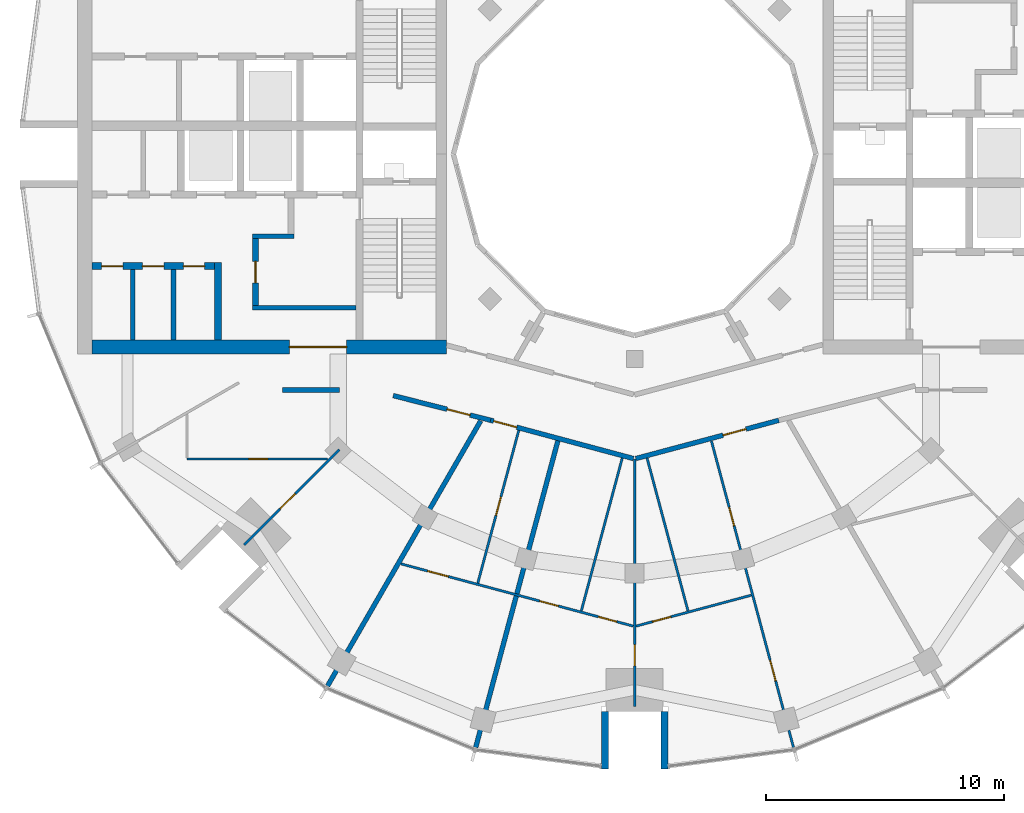
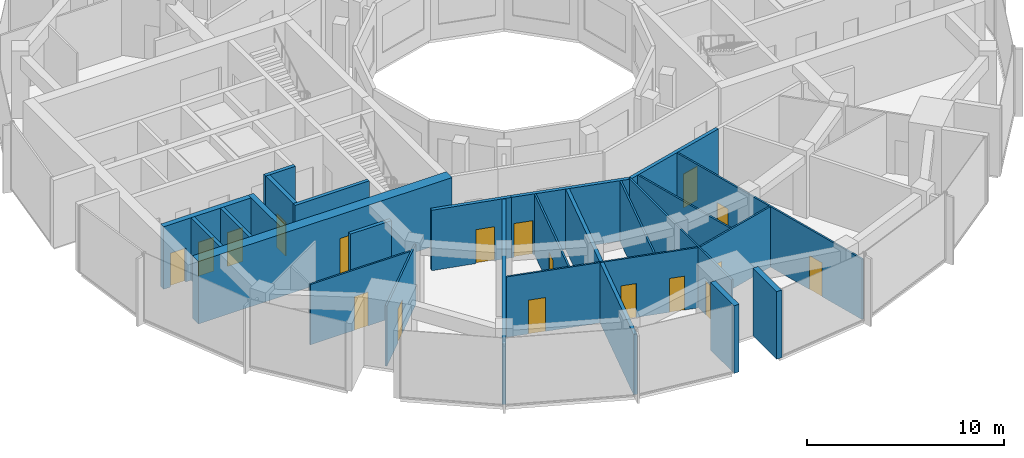
# One storey, part 8 of 15: 25 walls, 18 doors, 18 openings.
"""IFC4 building model written with IfcOpenShell, lengths in metres."""

from ifc_helpers import new_model, si_unit, direction, frame, frame_2d, origin, place, context, subcontext, project, spatial, rectangle, extrude, material, layer, layer_set, type_object, element, fill, save


model = new_model("IFC4")

# Units and contexts
model_context = context("Model", 3, precision=1e-05, world=origin(), true_north=direction((0.0, 1.0)))
body_context = subcontext(model_context, "Body", "Model", "MODEL_VIEW")
ifc_project = project(units=[si_unit("LENGTHUNIT", "METRE"), si_unit("AREAUNIT", "SQUARE_METRE"), si_unit("VOLUMEUNIT", "CUBIC_METRE"), si_unit("PLANEANGLEUNIT", "RADIAN"), si_unit("MASSUNIT", "GRAM", prefix="KILO")], contexts=[model_context])

# Site, building, storey
site_placement = place(None, origin())
site = spatial("IfcSite", under=ifc_project, at=site_placement, CompositionType="ELEMENT")
building_placement = place(site_placement, origin())
building = spatial("IfcBuilding", under=site, at=building_placement, Name="Torre Brocal", CompositionType="ELEMENT")
storey_placement = place(building_placement, frame((0.0, 0.0, 212.5)))
storey = spatial("IfcBuildingStorey", under=building, at=storey_placement, Name="L49", CompositionType="ELEMENT", Elevation=212.5)

# Walls
ifc_material_1 = material(Name="Masonry block", Category="masonry")
ifc_layer_1 = layer(ifc_material_1, 0.199951171875)
ifc_layer_set_1 = layer_set([ifc_layer_1], Name="Masonry block")
wall_type_1 = type_object("IfcWallType", Name="CORE PARTITION 200", PredefinedType="PARTITIONING", material=ifc_layer_set_1)
for number, where, z_axis, x_axis, name in (
    (1, (60.63330078125, 70.14990234375, 0.0), (0.0, 0.0, 1.0), (0.0, -1.0, 0.0), "Wall CP200"),
    (2, (58.916748046875, 70.14990234375, 0.0), (0.0, 0.0, 1.0), (0.0, -1.0, 0.0), "Wall CP200"),
):
    element("IfcWall", number, at=place(storey_placement, frame(where, z_axis=z_axis, x_axis=x_axis)), inside=storey, type_object=wall_type_1, Name=name, PredefinedType="PARTITIONING", context=body_context, shape_type="SweptSolid", body=[
        extrude(rectangle(XDim=2.949951171875, YDim=0.199951171875, at=frame_2d((1.47509765625, 0.0))), origin(), (0.0, 0.0, 1.0), 3.8798828125),
    ])
ifc_material_2 = material(Name="Concrete C60", Category="concrete")
ifc_layer_2 = layer(ifc_material_2, 0.199951171875)
ifc_layer_set_2 = layer_set([ifc_layer_2], Name="Concrete C60")
wall_type_2 = type_object("IfcWallType", Name="CORE WALL 200 C60", PredefinedType="SHEAR", material=ifc_layer_set_2)
wall_1_placement = place(storey_placement, frame((68.300048828125, 68.550048828125, 0.0), z_axis=(0.0, 0.0, 1.0), x_axis=(-1.0, 0.0, 0.0)))
element("IfcWall", 3, at=wall_1_placement, inside=storey, type_object=wall_type_2, Name="Wall CW200-60", PredefinedType="SHEAR", context=body_context, shape_type="SweptSolid", body=[
    extrude(rectangle(XDim=4.35009765625, YDim=0.199951171875, at=frame_2d((2.175048828125, 0.0))), origin(), (0.0, 0.0, 1.0), 3.8798828125),
])
wall_2_placement = place(storey_placement, frame((65.699951171875, 71.550048828125, 0.0), z_axis=(0.0, 0.0, 1.0), x_axis=(-1.0, 0.0, 0.0)))
element("IfcWall", 4, at=wall_2_placement, inside=storey, type_object=wall_type_2, Name="Wall CW200-60", PredefinedType="SHEAR", context=body_context, shape_type="SweptSolid", body=[
    extrude(rectangle(XDim=1.75, YDim=0.199951171875, at=frame_2d((0.875, 0.0))), origin(), (0.0, 0.0, 1.0), 3.8798828125),
])

# Wall, opening, door
ifc_material_3 = material(Name="Concrete C60", Category="concrete")
ifc_layer_3 = layer(ifc_material_3, 0.25)
ifc_layer_set_3 = layer_set([ifc_layer_3], Name="Concrete C60")
wall_type_3 = type_object("IfcWallType", Name="CORE WALL 250 C60", PredefinedType="SHEAR", material=ifc_layer_set_3)
wall_3_placement = place(storey_placement, frame((64.074951171875, 71.449951171875, 0.0), z_axis=(0.0, 0.0, 1.0), x_axis=(0.0, -1.0, 0.0)))
wall_3 = element("IfcWall", 5, at=wall_3_placement, inside=storey, type_object=wall_type_3, Name="Wall CW250-60", PredefinedType="SHEAR", context=body_context, shape_type="SweptSolid", body=[
    extrude(rectangle(XDim=2.800048828125, YDim=0.25, at=frame_2d((1.39990234375, 0.0))), origin(), (0.0, 0.0, 1.0), 3.8798828125),
])
opening_1_placement = place(wall_3_placement, frame((0.949951171875, 0.0, 0.0)))
opening_1 = element("IfcOpeningElement", 6, at=opening_1_placement, cuts=wall_3, Name="Opening W-D08", PredefinedType="OPENING", context=body_context, shape_type="SweptSolid", body=[
    extrude(rectangle(XDim=0.89990234375, YDim=2.10009765625, at=frame_2d((0.449951171875, 1.050048828125))), frame((0.0, 0.135009765625, 0.0), z_axis=(0.0, -1.0, 0.0), x_axis=(1.0, 0.0, 0.0)), (0.0, 0.0, 1.0), 0.27001953125),
])
ifc_material_4 = material(Name="Steel A653", Category="steel")
door_type_1 = type_object("IfcDoorType", Name="LOBBY DOOR FD120 900X2100", OperationType="SINGLE_SWING_RIGHT", PredefinedType="DOOR", material=ifc_material_4)
door_1_placement = place(opening_1_placement, origin())
door_1 = element("IfcDoor", 7, at=door_1_placement, inside=storey, type_object=door_type_1, Name="Door W-D08", OperationType="SINGLE_SWING_LEFT", OverallHeight=2.10009765625, OverallWidth=0.89990234375, PredefinedType="DOOR", context=body_context, shape_type="SweptSolid", body=[
    extrude(rectangle(XDim=0.89990234375, YDim=2.10009765625, at=frame_2d((0.449951171875, 1.050048828125))), frame((0.0, 0.02490234375, 0.0), z_axis=(0.0, -1.0, 0.0), x_axis=(1.0, 0.0, 0.0)), (0.0, 0.0, 1.0), 0.050048828125),
])
fill(opening_1, door_1)

# Wall
ifc_material_5 = material(Name="Concrete C60", Category="concrete")
ifc_layer_4 = layer(ifc_material_5, 0.300048828125)
ifc_layer_set_4 = layer_set([ifc_layer_4], Name="Concrete C60")
wall_type_4 = type_object("IfcWallType", Name="CORE WALL 300 C60", PredefinedType="SHEAR", material=ifc_layer_set_4)
wall_4_placement = place(storey_placement, frame((62.5, 70.449951171875, 0.0), z_axis=(0.0, 0.0, 1.0), x_axis=(0.0, -1.0, 0.0)))
element("IfcWall", 8, at=wall_4_placement, inside=storey, type_object=wall_type_4, Name="Wall CW300-60", PredefinedType="SHEAR", context=body_context, shape_type="SweptSolid", body=[
    extrude(rectangle(XDim=3.25, YDim=0.300048828125, at=frame_2d((1.625, 0.0))), origin(), (0.0, 0.0, 1.0), 3.8798828125),
])

# Wall, openings, doors
wall_5_placement = place(storey_placement, frame((62.35009765625, 70.300048828125, 0.0), z_axis=(0.0, 0.0, 1.0), x_axis=(-1.0, 0.0, 0.0)))
wall_5 = element("IfcWall", 9, at=wall_5_placement, inside=storey, type_object=wall_type_4, Name="Wall CW300-60", PredefinedType="SHEAR", context=body_context, shape_type="SweptSolid", body=[
    extrude(rectangle(XDim=5.150146484375, YDim=0.300048828125, at=frame_2d((2.5751953125, 0.0))), origin(), (0.0, 0.0, 1.0), 3.8798828125),
])
opening_2_placement = place(wall_5_placement, frame((0.408203125, 0.0, 0.0)))
opening_2 = element("IfcOpeningElement", 10, at=opening_2_placement, cuts=wall_5, Name="Opening W-D09", PredefinedType="OPENING", context=body_context, shape_type="SweptSolid", body=[
    extrude(rectangle(XDim=0.89990234375, YDim=2.10009765625, at=frame_2d((0.449951171875, 1.050048828125))), frame((0.0, 0.159912109375, 0.0), z_axis=(0.0, -1.0, 0.0), x_axis=(1.0, 0.0, 0.0)), (0.0, 0.0, 1.0), 0.320068359375),
])
opening_3_placement = place(wall_5_placement, frame((2.125, 0.0, 0.0)))
opening_3 = element("IfcOpeningElement", 11, at=opening_3_placement, cuts=wall_5, Name="Opening W-D10", PredefinedType="OPENING", context=body_context, shape_type="SweptSolid", body=[
    extrude(rectangle(XDim=0.89990234375, YDim=2.10009765625, at=frame_2d((0.449951171875, 1.050048828125))), frame((0.0, 0.159912109375, 0.0), z_axis=(0.0, -1.0, 0.0), x_axis=(1.0, 0.0, 0.0)), (0.0, 0.0, 1.0), 0.320068359375),
])
opening_4_placement = place(wall_5_placement, frame((3.841796875, 0.0, 0.0)))
opening_4 = element("IfcOpeningElement", 12, at=opening_4_placement, cuts=wall_5, Name="Opening W-D11", PredefinedType="OPENING", context=body_context, shape_type="SweptSolid", body=[
    extrude(rectangle(XDim=0.89990234375, YDim=2.10009765625, at=frame_2d((0.449951171875, 1.050048828125))), frame((0.0, 0.159912109375, 0.0), z_axis=(0.0, -1.0, 0.0), x_axis=(1.0, 0.0, 0.0)), (0.0, 0.0, 1.0), 0.320068359375),
])
ifc_material_6 = material(Name="Steel A653", Category="steel")
door_type_2 = type_object("IfcDoorType", Name="ROOM DOOR FD30S 900X2100", OperationType="SINGLE_SWING_LEFT", PredefinedType="DOOR", material=ifc_material_6)
door_2_placement = place(opening_2_placement, origin())
door_2 = element("IfcDoor", 13, at=door_2_placement, inside=storey, type_object=door_type_2, Name="Door W-D09", OperationType="SINGLE_SWING_RIGHT", OverallHeight=2.10009765625, OverallWidth=0.89990234375, PredefinedType="DOOR", context=body_context, shape_type="SweptSolid", body=[
    extrude(rectangle(XDim=0.89990234375, YDim=2.10009765625, at=frame_2d((0.449951171875, 1.050048828125))), frame((0.0, 0.02490234375, 0.0), z_axis=(0.0, -1.0, 0.0), x_axis=(1.0, 0.0, 0.0)), (0.0, 0.0, 1.0), 0.050048828125),
])
fill(opening_2, door_2)
door_3_placement = place(opening_3_placement, origin())
door_3 = element("IfcDoor", 14, at=door_3_placement, inside=storey, type_object=door_type_2, Name="Door W-D10", OperationType="SINGLE_SWING_LEFT", OverallHeight=2.10009765625, OverallWidth=0.89990234375, PredefinedType="DOOR", context=body_context, shape_type="SweptSolid", body=[
    extrude(rectangle(XDim=0.89990234375, YDim=2.10009765625, at=frame_2d((0.449951171875, 1.050048828125))), frame((0.0, 0.02490234375, 0.0), z_axis=(0.0, -1.0, 0.0), x_axis=(1.0, 0.0, 0.0)), (0.0, 0.0, 1.0), 0.050048828125),
])
fill(opening_3, door_3)
door_4_placement = place(opening_4_placement, origin())
door_4 = element("IfcDoor", 15, at=door_4_placement, inside=storey, type_object=door_type_2, Name="Door W-D11", OperationType="SINGLE_SWING_LEFT", OverallHeight=2.10009765625, OverallWidth=0.89990234375, PredefinedType="DOOR", context=body_context, shape_type="SweptSolid", body=[
    extrude(rectangle(XDim=0.89990234375, YDim=2.10009765625, at=frame_2d((0.449951171875, 1.050048828125))), frame((0.0, 0.02490234375, 0.0), z_axis=(0.0, -1.0, 0.0), x_axis=(1.0, 0.0, 0.0)), (0.0, 0.0, 1.0), 0.050048828125),
])
fill(opening_4, door_4)

# Wall, opening, door
ifc_material_7 = material(Name="Concrete C60", Category="concrete")
ifc_layer_5 = layer(ifc_material_7, 0.60009765625)
ifc_layer_set_5 = layer_set([ifc_layer_5], Name="Concrete C60")
wall_type_5 = type_object("IfcWallType", Name="CORE WALL 600 C60", PredefinedType="SHEAR", material=ifc_layer_set_5)
wall_6_placement = place(storey_placement, frame((72.10009765625, 66.89990234375, 0.0), z_axis=(0.0, 0.0, 1.0), x_axis=(-1.0, 0.0, 0.0)))
wall_6 = element("IfcWall", 16, at=wall_6_placement, inside=storey, type_object=wall_type_5, Name="Wall CW600-60", PredefinedType="SHEAR", context=body_context, shape_type="SweptSolid", body=[
    extrude(rectangle(XDim=14.900146484375, YDim=0.60009765625, at=frame_2d((7.4501953125, 0.0))), origin(), (0.0, 0.0, 1.0), 3.8798828125),
])
opening_5_placement = place(wall_6_placement, frame((4.199951171875, 0.0, 0.0)))
opening_5 = element("IfcOpeningElement", 17, at=opening_5_placement, cuts=wall_6, Name="Opening W-D12", PredefinedType="OPENING", context=body_context, shape_type="SweptSolid", body=[
    extrude(rectangle(XDim=2.39990234375, YDim=2.39990234375, at=frame_2d((1.199951171875, 1.199951171875))), frame((0.0, 0.31005859375, 0.0), z_axis=(0.0, -1.0, 0.0), x_axis=(1.0, 0.0, 0.0)), (0.0, 0.0, 1.0), 0.6201171875),
])
ifc_material_8 = material(Name="Steel A653", Category="steel")
door_type_3 = type_object("IfcDoorType", Name="DOUBLE FIRE DOOR FD90 2400X2400", OperationType="DOUBLE_DOOR_SINGLE_SWING", PredefinedType="DOOR", material=ifc_material_8)
door_5_placement = place(opening_5_placement, frame((2.39990234375, 0.0, 0.0), z_axis=(0.0, 0.0, 1.0), x_axis=(-1.0, 0.0, 0.0)))
door_5 = element("IfcDoor", 18, at=door_5_placement, inside=storey, type_object=door_type_3, Name="Door W-D12", OperationType="DOUBLE_DOOR_SINGLE_SWING", OverallHeight=2.39990234375, OverallWidth=2.39990234375, PredefinedType="DOOR", context=body_context, shape_type="SweptSolid", body=[
    extrude(rectangle(XDim=2.39990234375, YDim=2.39990234375, at=frame_2d((1.199951171875, 1.199951171875))), frame((0.0, 0.02490234375, 0.0), z_axis=(0.0, -1.0, 0.0), x_axis=(1.0, 0.0, 0.0)), (0.0, 0.0, 1.0), 0.050048828125),
])
fill(opening_5, door_5)

# Walls
ifc_material_9 = material(Name="Concrete C60", Category="concrete")
ifc_layer_6 = layer(ifc_material_9, 0.300048828125)
ifc_layer_set_6 = layer_set([ifc_layer_6], Name="Concrete C60")
wall_type_6 = type_object("IfcWallType", Name="NOTCH RETURN WALL 300 C60", PredefinedType="NOTDEFINED", material=ifc_layer_set_6)
for number, where, z_axis, x_axis, name in (
    (19, (78.75, 51.60009765625, 0.0), (0.0, 0.0, 1.0), (0.0, -1.0, 0.0), "NOTCH RETURN WALL"),
    (20, (81.25, 51.60009765625, 0.0), (0.0, 0.0, 1.0), (0.0, -1.0, 0.0), "NOTCH RETURN WALL"),
):
    element("IfcWall", number, at=place(storey_placement, frame(where, z_axis=z_axis, x_axis=x_axis)), inside=storey, type_object=wall_type_6, Name=name, PredefinedType="NOTDEFINED", context=body_context, shape_type="SweptSolid", body=[
        extrude(rectangle(XDim=2.415771484375, YDim=0.300048828125, at=frame_2d((1.2080078125, 0.0))), origin(), (0.0, 0.0, 1.0), 4.199951171875),
    ])

# Wall, opening, door
ifc_material_10 = material(Name="Gypsum board", Category="Gypsum")
ifc_layer_7 = layer(ifc_material_10, 0.10009765625)
ifc_layer_set_7 = layer_set([ifc_layer_7], Name="Gypsum board")
wall_type_7 = type_object("IfcWallType", Name="PARTITION 100", PredefinedType="PARTITIONING", material=ifc_layer_set_7)
wall_7_placement = place(storey_placement, frame((61.199951171875, 62.199951171875, 0.0), z_axis=(0.0, 0.0, 1.0), x_axis=(1.0, 0.0, 0.0)))
wall_7 = element("IfcWall", 21, at=wall_7_placement, inside=storey, type_object=wall_type_7, Name="BATHROOM WALL", PredefinedType="PARTITIONING", context=body_context, shape_type="SweptSolid", body=[
    extrude(rectangle(XDim=5.89013671875, YDim=0.10009765625, at=frame_2d((2.945068359375, 0.0))), origin(), (0.0, 0.0, 1.0), 3.75),
])
opening_6_placement = place(wall_7_placement, frame((2.60009765625, 0.0, 0.0)))
opening_6 = element("IfcOpeningElement", 22, at=opening_6_placement, cuts=wall_7, Name="Opening B01-D35", PredefinedType="OPENING", context=body_context, shape_type="SweptSolid", body=[
    extrude(rectangle(XDim=0.800048828125, YDim=2.10009765625, at=frame_2d((0.39990234375, 1.050048828125))), frame((0.0, 0.06005859375, 0.0), z_axis=(0.0, -1.0, 0.0), x_axis=(1.0, 0.0, 0.0)), (0.0, 0.0, 1.0), 0.1201171875),
])
ifc_material_11 = material(Name="Timber", Category="wood")
door_type_4 = type_object("IfcDoorType", Name="BATHROOM DOOR 800X2100", OperationType="SINGLE_SWING_LEFT", PredefinedType="DOOR", material=ifc_material_11)
door_6_placement = place(opening_6_placement, origin())
door_6 = element("IfcDoor", 23, at=door_6_placement, inside=storey, type_object=door_type_4, Name="B01-D35", OperationType="SINGLE_SWING_LEFT", OverallHeight=2.10009765625, OverallWidth=0.800048828125, PredefinedType="DOOR", context=body_context, shape_type="SweptSolid", body=[
    extrude(rectangle(XDim=0.800048828125, YDim=2.10009765625, at=frame_2d((0.39990234375, 1.050048828125))), frame((0.0, 0.02490234375, 0.0), z_axis=(0.0, -1.0, 0.0), x_axis=(1.0, 0.0, 0.0)), (0.0, 0.0, 1.0), 0.050048828125),
])
fill(opening_6, door_6)

wall_8_placement = place(storey_placement, frame((63.595703125, 58.595703125, 0.0), z_axis=(0.0, 0.0, 1.0), x_axis=(0.707106781187, 0.707106781187, 0.0)))
wall_8 = element("IfcWall", 24, at=wall_8_placement, inside=storey, type_object=wall_type_7, Name="BATHROOM WALL", PredefinedType="PARTITIONING", context=body_context, shape_type="SweptSolid", body=[
    extrude(rectangle(XDim=5.6630859375, YDim=0.10009765625, at=frame_2d((2.83154296875, 0.0))), origin(), (0.0, 0.0, 1.0), 3.75),
])
opening_7_placement = place(wall_8_placement, frame((2.133544921875, 0.0, 0.0)))
opening_7 = element("IfcOpeningElement", 25, at=opening_7_placement, cuts=wall_8, Name="Opening B01-D34", PredefinedType="OPENING", context=body_context, shape_type="SweptSolid", body=[
    extrude(rectangle(XDim=0.89990234375, YDim=2.10009765625, at=frame_2d((0.449951171875, 1.050048828125))), frame((0.0, 0.06005859375, 0.0), z_axis=(0.0, -1.0, 0.0), x_axis=(1.0, 0.0, 0.0)), (0.0, 0.0, 1.0), 0.1201171875),
])
ifc_material_12 = material(Name="Timber", Category="wood")
door_type_5 = type_object("IfcDoorType", Name="ROOM DOOR 900X2100", OperationType="SINGLE_SWING_LEFT", PredefinedType="DOOR", material=ifc_material_12)
door_7_placement = place(opening_7_placement, origin())
door_7 = element("IfcDoor", 26, at=door_7_placement, inside=storey, type_object=door_type_5, Name="B01-D34", OperationType="SINGLE_SWING_RIGHT", OverallHeight=2.10009765625, OverallWidth=0.89990234375, PredefinedType="DOOR", context=body_context, shape_type="SweptSolid", body=[
    extrude(rectangle(XDim=0.89990234375, YDim=2.10009765625, at=frame_2d((0.449951171875, 1.050048828125))), frame((0.0, 0.02490234375, 0.0), z_axis=(0.0, -1.0, 0.0), x_axis=(1.0, 0.0, 0.0)), (0.0, 0.0, 1.0), 0.050048828125),
])
fill(opening_7, door_7)

# Wall, openings, doors
wall_9_placement = place(storey_placement, frame((70.188232421875, 57.793701171875, 0.0), z_axis=(0.0, 0.0, 1.0), x_axis=(0.965894620005, -0.25893548047, 0.0)))
wall_9 = element("IfcWall", 27, at=wall_9_placement, inside=storey, type_object=wall_type_7, Name="BATHROOM WALL", PredefinedType="PARTITIONING", context=body_context, shape_type="SweptSolid", body=[
    extrude(rectangle(XDim=10.09814453125, YDim=0.10009765625, at=frame_2d((5.049072265625, 0.0))), origin(), (0.0, 0.0, 1.0), 3.75),
])
opening_8_placement = place(wall_9_placement, frame((6.0341796875, 0.0, 0.0)))
opening_8 = element("IfcOpeningElement", 28, at=opening_8_placement, cuts=wall_9, Name="Opening B01-D28", PredefinedType="OPENING", context=body_context, shape_type="SweptSolid", body=[
    extrude(rectangle(XDim=0.800048828125, YDim=2.10009765625, at=frame_2d((0.39990234375, 1.050048828125))), frame((0.0, 0.06005859375, 0.0), z_axis=(0.0, -1.0, 0.0), x_axis=(1.0, 0.0, 0.0)), (0.0, 0.0, 1.0), 0.1201171875),
])
opening_9_placement = place(wall_9_placement, frame((8.581298828125, 0.0, 0.0)))
opening_9 = element("IfcOpeningElement", 29, at=opening_9_placement, cuts=wall_9, Name="Opening B01-D29", PredefinedType="OPENING", context=body_context, shape_type="SweptSolid", body=[
    extrude(rectangle(XDim=0.800048828125, YDim=2.10009765625, at=frame_2d((0.39990234375, 1.050048828125))), frame((0.0, 0.06005859375, 0.0), z_axis=(0.0, -1.0, 0.0), x_axis=(1.0, 0.0, 0.0)), (0.0, 0.0, 1.0), 0.1201171875),
])
opening_10_placement = place(wall_9_placement, frame((1.156494140625, 0.0, 0.0)))
opening_10 = element("IfcOpeningElement", 30, at=opening_10_placement, cuts=wall_9, Name="Opening B01-D30", PredefinedType="OPENING", context=body_context, shape_type="SweptSolid", body=[
    extrude(rectangle(XDim=0.89990234375, YDim=2.10009765625, at=frame_2d((0.449951171875, 1.050048828125))), frame((0.0, 0.06005859375, 0.0), z_axis=(0.0, -1.0, 0.0), x_axis=(1.0, 0.0, 0.0)), (0.0, 0.0, 1.0), 0.1201171875),
])
door_8_placement = place(opening_8_placement, origin())
door_8 = element("IfcDoor", 31, at=door_8_placement, inside=storey, type_object=door_type_4, Name="B01-D28", OperationType="SINGLE_SWING_LEFT", OverallHeight=2.10009765625, OverallWidth=0.800048828125, PredefinedType="DOOR", context=body_context, shape_type="SweptSolid", body=[
    extrude(rectangle(XDim=0.800048828125, YDim=2.10009765625, at=frame_2d((0.39990234375, 1.050048828125))), frame((0.0, 0.02490234375, 0.0), z_axis=(0.0, -1.0, 0.0), x_axis=(1.0, 0.0, 0.0)), (0.0, 0.0, 1.0), 0.050048828125),
])
fill(opening_8, door_8)
door_9_placement = place(opening_9_placement, frame((0.800048828125, 0.0, 0.0), z_axis=(0.0, 0.0, 1.0), x_axis=(-1.0, 0.0, 0.0)))
door_9 = element("IfcDoor", 32, at=door_9_placement, inside=storey, type_object=door_type_4, Name="B01-D29", OperationType="SINGLE_SWING_LEFT", OverallHeight=2.10009765625, OverallWidth=0.800048828125, PredefinedType="DOOR", context=body_context, shape_type="SweptSolid", body=[
    extrude(rectangle(XDim=0.800048828125, YDim=2.10009765625, at=frame_2d((0.39990234375, 1.050048828125))), frame((0.0, 0.02490234375, 0.0), z_axis=(0.0, -1.0, 0.0), x_axis=(1.0, 0.0, 0.0)), (0.0, 0.0, 1.0), 0.050048828125),
])
fill(opening_9, door_9)
door_10_placement = place(opening_10_placement, origin())
door_10 = element("IfcDoor", 33, at=door_10_placement, inside=storey, type_object=door_type_5, Name="B01-D30", OperationType="SINGLE_SWING_LEFT", OverallHeight=2.10009765625, OverallWidth=0.89990234375, PredefinedType="DOOR", context=body_context, shape_type="SweptSolid", body=[
    extrude(rectangle(XDim=0.89990234375, YDim=2.10009765625, at=frame_2d((0.449951171875, 1.050048828125))), frame((0.0, 0.02490234375, 0.0), z_axis=(0.0, -1.0, 0.0), x_axis=(1.0, 0.0, 0.0)), (0.0, 0.0, 1.0), 0.050048828125),
])
fill(opening_10, door_10)

# Wall, opening, door
wall_10_placement = place(storey_placement, frame((73.410888671875, 56.981689453125, 0.0), z_axis=(0.0, 0.0, 1.0), x_axis=(0.258992397652, 0.96587935994, 0.0)))
wall_10 = element("IfcWall", 34, at=wall_10_placement, inside=storey, type_object=wall_type_7, Name="BATHROOM WALL", PredefinedType="PARTITIONING", context=body_context, shape_type="SweptSolid", body=[
    extrude(rectangle(XDim=6.6494140625, YDim=0.10009765625, at=frame_2d((3.32470703125, 0.0))), origin(), (0.0, 0.0, 1.0), 3.75),
])
opening_11_placement = place(wall_10_placement, frame((2.94970703125, 0.0, 0.0)))
opening_11 = element("IfcOpeningElement", 35, at=opening_11_placement, cuts=wall_10, Name="Opening B01-D32", PredefinedType="OPENING", context=body_context, shape_type="SweptSolid", body=[
    extrude(rectangle(XDim=0.800048828125, YDim=2.10009765625, at=frame_2d((0.39990234375, 1.050048828125))), frame((0.0, 0.06005859375, 0.0), z_axis=(0.0, -1.0, 0.0), x_axis=(1.0, 0.0, 0.0)), (0.0, 0.0, 1.0), 0.1201171875),
])
door_11_placement = place(opening_11_placement, frame((0.800048828125, 0.0, 0.0), z_axis=(0.0, 0.0, 1.0), x_axis=(-1.0, 0.0, 0.0)))
door_11 = element("IfcDoor", 36, at=door_11_placement, inside=storey, type_object=door_type_4, Name="B01-D32", OperationType="SINGLE_SWING_RIGHT", OverallHeight=2.10009765625, OverallWidth=0.800048828125, PredefinedType="DOOR", context=body_context, shape_type="SweptSolid", body=[
    extrude(rectangle(XDim=0.800048828125, YDim=2.10009765625, at=frame_2d((0.39990234375, 1.050048828125))), frame((0.0, 0.02490234375, 0.0), z_axis=(0.0, -1.0, 0.0), x_axis=(1.0, 0.0, 0.0)), (0.0, 0.0, 1.0), 0.050048828125),
])
fill(opening_11, door_11)

# Wall
wall_11_placement = place(storey_placement, frame((77.759033203125, 55.81640625, 0.0), z_axis=(0.0, 0.0, 1.0), x_axis=(0.258802763352, 0.965930188824, 0.0)))
element("IfcWall", 37, at=wall_11_placement, inside=storey, type_object=wall_type_7, Name="BATHROOM WALL", PredefinedType="PARTITIONING", context=body_context, shape_type="SweptSolid", body=[
    extrude(rectangle(XDim=6.649658203125, YDim=0.10009765625, at=frame_2d((3.32470703125, 0.0))), origin(), (0.0, 0.0, 1.0), 3.75),
])

# Wall, opening, door
wall_12_placement = place(storey_placement, frame((80.0, 51.800048828125, 0.0), z_axis=(0.0, 0.0, 1.0), x_axis=(0.0, 1.0, 0.0)))
wall_12 = element("IfcWall", 38, at=wall_12_placement, inside=storey, type_object=wall_type_7, Name="BATHROOM WALL", PredefinedType="PARTITIONING", context=body_context, shape_type="SweptSolid", body=[
    extrude(rectangle(XDim=10.404052734375, YDim=0.10009765625, at=frame_2d((5.2021484375, 0.0))), origin(), (0.0, 0.0, 1.0), 3.75),
])
opening_12_placement = place(wall_12_placement, frame((1.70703125, 0.0, 0.0)))
opening_12 = element("IfcOpeningElement", 39, at=opening_12_placement, cuts=wall_12, Name="Opening B01-D27", PredefinedType="OPENING", context=body_context, shape_type="SweptSolid", body=[
    extrude(rectangle(XDim=0.89990234375, YDim=2.10009765625, at=frame_2d((0.449951171875, 1.050048828125))), frame((0.0, 0.06005859375, 0.0), z_axis=(0.0, -1.0, 0.0), x_axis=(1.0, 0.0, 0.0)), (0.0, 0.0, 1.0), 0.1201171875),
])
door_12_placement = place(opening_12_placement, origin())
door_12 = element("IfcDoor", 40, at=door_12_placement, inside=storey, type_object=door_type_5, Name="B01-D27", OperationType="SINGLE_SWING_RIGHT", OverallHeight=2.10009765625, OverallWidth=0.89990234375, PredefinedType="DOOR", context=body_context, shape_type="SweptSolid", body=[
    extrude(rectangle(XDim=0.89990234375, YDim=2.10009765625, at=frame_2d((0.449951171875, 1.050048828125))), frame((0.0, 0.02490234375, 0.0), z_axis=(0.0, -1.0, 0.0), x_axis=(1.0, 0.0, 0.0)), (0.0, 0.0, 1.0), 0.050048828125),
])
fill(opening_12, door_12)

wall_13_placement = place(storey_placement, frame((80.05810546875, 55.179443359375, 0.0), z_axis=(0.0, 0.0, 1.0), x_axis=(0.965917403523, 0.258850477246, 0.0)))
wall_13 = element("IfcWall", 41, at=wall_13_placement, inside=storey, type_object=wall_type_7, Name="BATHROOM WALL", PredefinedType="PARTITIONING", context=body_context, shape_type="SweptSolid", body=[
    extrude(rectangle(XDim=5.013916015625, YDim=0.10009765625, at=frame_2d((2.5068359375, 0.0))), origin(), (0.0, 0.0, 1.0), 3.75),
])
opening_13_placement = place(wall_13_placement, frame((0.716552734375, 0.0, 0.0)))
opening_13 = element("IfcOpeningElement", 42, at=opening_13_placement, cuts=wall_13, Name="Opening B01-D25", PredefinedType="OPENING", context=body_context, shape_type="SweptSolid", body=[
    extrude(rectangle(XDim=0.800048828125, YDim=2.10009765625, at=frame_2d((0.39990234375, 1.050048828125))), frame((0.0, 0.06005859375, 0.0), z_axis=(0.0, -1.0, 0.0), x_axis=(1.0, 0.0, 0.0)), (0.0, 0.0, 1.0), 0.1201171875),
])
door_13_placement = place(opening_13_placement, origin())
door_13 = element("IfcDoor", 43, at=door_13_placement, inside=storey, type_object=door_type_4, Name="B01-D25", OperationType="SINGLE_SWING_LEFT", OverallHeight=2.10009765625, OverallWidth=0.800048828125, PredefinedType="DOOR", context=body_context, shape_type="SweptSolid", body=[
    extrude(rectangle(XDim=0.800048828125, YDim=2.10009765625, at=frame_2d((0.39990234375, 1.050048828125))), frame((0.0, 0.02490234375, 0.0), z_axis=(0.0, -1.0, 0.0), x_axis=(1.0, 0.0, 0.0)), (0.0, 0.0, 1.0), 0.050048828125),
])
fill(opening_13, door_13)

# Wall
wall_14_placement = place(storey_placement, frame((80.52001953125, 62.239501953125, 0.0), z_axis=(0.0, 0.0, 1.0), x_axis=(0.258802763352, -0.965930188824, 0.0)))
element("IfcWall", 44, at=wall_14_placement, inside=storey, type_object=wall_type_7, Name="BATHROOM WALL", PredefinedType="PARTITIONING", context=body_context, shape_type="SweptSolid", body=[
    extrude(rectangle(XDim=6.649658203125, YDim=0.10009765625, at=frame_2d((3.32470703125, 0.0))), origin(), (0.0, 0.0, 1.0), 3.75),
])

# Wall, openings, doors
wall_15_placement = place(storey_placement, frame((83.224365234375, 62.953857421875, 0.0), z_axis=(0.0, 0.0, 1.0), x_axis=(0.258647574365, -0.965971755423, 0.0)))
wall_15 = element("IfcWall", 45, at=wall_15_placement, inside=storey, type_object=wall_type_7, Name="BATHROOM WALL", PredefinedType="PARTITIONING", context=body_context, shape_type="SweptSolid", body=[
    extrude(rectangle(XDim=13.328125, YDim=0.10009765625, at=frame_2d((6.6640625, 0.0))), origin(), (0.0, 0.0, 1.0), 3.75),
])
opening_14_placement = place(wall_15_placement, frame((9.533935546875, 0.0, 0.0)))
opening_14 = element("IfcOpeningElement", 46, at=opening_14_placement, cuts=wall_15, Name="Opening B01-D24", PredefinedType="OPENING", context=body_context, shape_type="SweptSolid", body=[
    extrude(rectangle(XDim=0.89990234375, YDim=2.10009765625, at=frame_2d((0.449951171875, 1.050048828125))), frame((0.0, 0.06005859375, 0.0), z_axis=(0.0, -1.0, 0.0), x_axis=(1.0, 0.0, 0.0)), (0.0, 0.0, 1.0), 0.1201171875),
])
opening_15_placement = place(wall_15_placement, frame((2.889892578125, 0.0, 0.0)))
opening_15 = element("IfcOpeningElement", 47, at=opening_15_placement, cuts=wall_15, Name="Opening B01-D26", PredefinedType="OPENING", context=body_context, shape_type="SweptSolid", body=[
    extrude(rectangle(XDim=0.800048828125, YDim=2.10009765625, at=frame_2d((0.39990234375, 1.050048828125))), frame((0.0, 0.06005859375, 0.0), z_axis=(0.0, -1.0, 0.0), x_axis=(1.0, 0.0, 0.0)), (0.0, 0.0, 1.0), 0.1201171875),
])
door_14_placement = place(opening_15_placement, frame((0.800048828125, 0.0, 0.0), z_axis=(0.0, 0.0, 1.0), x_axis=(-1.0, 0.0, 0.0)))
door_14 = element("IfcDoor", 48, at=door_14_placement, inside=storey, type_object=door_type_4, Name="B01-D26", OperationType="SINGLE_SWING_RIGHT", OverallHeight=2.10009765625, OverallWidth=0.800048828125, PredefinedType="DOOR", context=body_context, shape_type="SweptSolid", body=[
    extrude(rectangle(XDim=0.800048828125, YDim=2.10009765625, at=frame_2d((0.39990234375, 1.050048828125))), frame((0.0, 0.02490234375, 0.0), z_axis=(0.0, -1.0, 0.0), x_axis=(1.0, 0.0, 0.0)), (0.0, 0.0, 1.0), 0.050048828125),
])
fill(opening_15, door_14)
door_15_placement = place(opening_14_placement, frame((0.89990234375, 0.0, 0.0), z_axis=(0.0, 0.0, 1.0), x_axis=(-1.0, 0.0, 0.0)))
door_15 = element("IfcDoor", 49, at=door_15_placement, inside=storey, type_object=door_type_5, Name="B01-D24", OperationType="SINGLE_SWING_LEFT", OverallHeight=2.10009765625, OverallWidth=0.89990234375, PredefinedType="DOOR", context=body_context, shape_type="SweptSolid", body=[
    extrude(rectangle(XDim=0.89990234375, YDim=2.10009765625, at=frame_2d((0.449951171875, 1.050048828125))), frame((0.0, 0.02490234375, 0.0), z_axis=(0.0, -1.0, 0.0), x_axis=(1.0, 0.0, 0.0)), (0.0, 0.0, 1.0), 0.050048828125),
])
fill(opening_14, door_15)

# Walls
ifc_material_13 = material(Name="Gypsum board", Category="Gypsum")
ifc_layer_8 = layer(ifc_material_13, 0.199951171875)
ifc_layer_set_8 = layer_set([ifc_layer_8], Name="Gypsum board")
wall_type_8 = type_object("IfcWallType", Name="PARTITION 200 EI60", PredefinedType="PARTITIONING", material=ifc_layer_set_8)
wall_16_placement = place(storey_placement, frame((65.199951171875, 65.10009765625, 0.0), z_axis=(0.0, 0.0, 1.0), x_axis=(1.0, 0.0, 0.0)))
element("IfcWall", 50, at=wall_16_placement, inside=storey, type_object=wall_type_8, Name="GUESTROOM CORRIDOR WALL", PredefinedType="PARTITIONING", context=body_context, shape_type="SweptSolid", body=[
    extrude(rectangle(XDim=2.400146484375, YDim=0.199951171875, at=frame_2d((1.2001953125, 0.0))), origin(), (0.0, 0.0, 1.0), 3.75),
])
wall_17_placement = place(storey_placement, frame((67.0986328125, 52.659912109375, 0.0), z_axis=(0.0, 0.0, 1.0), x_axis=(0.500120472712, 0.865955837658, 0.0)))
element("IfcWall", 51, at=wall_17_placement, inside=storey, type_object=wall_type_8, Name="PARTY PARTITION", PredefinedType="PARTITIONING", context=body_context, shape_type="SweptSolid", body=[
    extrude(rectangle(XDim=12.866455078125, YDim=0.199951171875, at=frame_2d((6.43310546875, 0.0))), origin(), (0.0, 0.0, 1.0), 3.75),
])

# Wall, opening, door
wall_18_placement = place(storey_placement, frame((69.860107421875, 64.860107421875, 0.0), z_axis=(0.0, 0.0, 1.0), x_axis=(0.96942980222, -0.245368821506, 0.0)))
wall_18 = element("IfcWall", 52, at=wall_18_placement, inside=storey, type_object=wall_type_8, Name="FLAT ENTRANCE WALL", PredefinedType="PARTITIONING", context=body_context, shape_type="SweptSolid", body=[
    extrude(rectangle(XDim=4.2158203125, YDim=0.199951171875, at=frame_2d((2.10791015625, 0.0))), origin(), (0.0, 0.0, 1.0), 3.75),
])
opening_16_placement = place(wall_18_placement, frame((2.33056640625, 0.0, 0.0)))
opening_16 = element("IfcOpeningElement", 53, at=opening_16_placement, cuts=wall_18, Name="Opening B01-D33", PredefinedType="OPENING", context=body_context, shape_type="SweptSolid", body=[
    extrude(rectangle(XDim=1.0, YDim=2.10009765625, at=frame_2d((0.5, 1.050048828125))), frame((0.0, 0.10986328125, 0.0), z_axis=(0.0, -1.0, 0.0), x_axis=(1.0, 0.0, 0.0)), (0.0, 0.0, 1.0), 0.219970703125),
])
ifc_material_14 = material(Name="Timber", Category="wood")
door_type_6 = type_object("IfcDoorType", Name="FLAT ENTRY DOOR FD30S 1000X2100", OperationType="SINGLE_SWING_RIGHT", PredefinedType="DOOR", material=ifc_material_14)
door_16_placement = place(opening_16_placement, frame((1.0, 0.0, 0.0), z_axis=(0.0, 0.0, 1.0), x_axis=(-1.0, 0.0, 0.0)))
door_16 = element("IfcDoor", 54, at=door_16_placement, inside=storey, type_object=door_type_6, Name="B01-D33", OperationType="SINGLE_SWING_LEFT", OverallHeight=2.10009765625, OverallWidth=1.0, PredefinedType="DOOR", context=body_context, shape_type="SweptSolid", body=[
    extrude(rectangle(XDim=1.0, YDim=2.10009765625, at=frame_2d((0.5, 1.050048828125))), frame((0.0, 0.02490234375, 0.0), z_axis=(0.0, -1.0, 0.0), x_axis=(1.0, 0.0, 0.0)), (0.0, 0.0, 1.0), 0.050048828125),
])
fill(opening_16, door_16)

# Wall
wall_19_placement = place(storey_placement, frame((73.322998046875, 50.080810546875, 0.0), z_axis=(0.0, 0.0, 1.0), x_axis=(0.258837030899, 0.96592100683, 0.0)))
element("IfcWall", 55, at=wall_19_placement, inside=storey, type_object=wall_type_8, Name="BATHROOM WALL", PredefinedType="PARTITIONING", context=body_context, shape_type="SweptSolid", body=[
    extrude(rectangle(XDim=13.338134765625, YDim=0.199951171875, at=frame_2d((6.6689453125, 0.0))), origin(), (0.0, 0.0, 1.0), 3.75),
])

# Wall, opening, door
wall_20_placement = place(storey_placement, frame((73.947021484375, 63.826171875, 0.0), z_axis=(0.0, 0.0, 1.0), x_axis=(0.965876152316, -0.259004359784, 0.0)))
wall_20 = element("IfcWall", 56, at=wall_20_placement, inside=storey, type_object=wall_type_8, Name="FLAT ENTRANCE WALL", PredefinedType="PARTITIONING", context=body_context, shape_type="SweptSolid", body=[
    extrude(rectangle(XDim=6.216552734375, YDim=0.199951171875, at=frame_2d((3.1083984375, 0.0))), origin(), (0.0, 0.0, 1.0), 3.75),
])
opening_17_placement = place(wall_20_placement, frame((0.13720703125, 0.0, 0.0)))
opening_17 = element("IfcOpeningElement", 57, at=opening_17_placement, cuts=wall_20, Name="Opening B01-D31", PredefinedType="OPENING", context=body_context, shape_type="SweptSolid", body=[
    extrude(rectangle(XDim=1.0, YDim=2.10009765625, at=frame_2d((0.5, 1.050048828125))), frame((0.0, 0.10986328125, 0.0), z_axis=(0.0, -1.0, 0.0), x_axis=(1.0, 0.0, 0.0)), (0.0, 0.0, 1.0), 0.219970703125),
])
door_17_placement = place(opening_17_placement, frame((1.0, 0.0, 0.0), z_axis=(0.0, 0.0, 1.0), x_axis=(-1.0, 0.0, 0.0)))
door_17 = element("IfcDoor", 58, at=door_17_placement, inside=storey, type_object=door_type_6, Name="B01-D31", OperationType="SINGLE_SWING_LEFT", OverallHeight=2.10009765625, OverallWidth=1.0, PredefinedType="DOOR", context=body_context, shape_type="SweptSolid", body=[
    extrude(rectangle(XDim=1.0, YDim=2.10009765625, at=frame_2d((0.5, 1.050048828125))), frame((0.0, 0.02490234375, 0.0), z_axis=(0.0, -1.0, 0.0), x_axis=(1.0, 0.0, 0.0)), (0.0, 0.0, 1.0), 0.050048828125),
])
fill(opening_17, door_17)

wall_21_placement = place(storey_placement, frame((80.048095703125, 62.21728515625, 0.0), z_axis=(0.0, 0.0, 1.0), x_axis=(0.966097920642, 0.258175923996, 0.0)))
wall_21 = element("IfcWall", 59, at=wall_21_placement, inside=storey, type_object=wall_type_8, Name="FLAT ENTRANCE WALL", PredefinedType="PARTITIONING", context=body_context, shape_type="SweptSolid", body=[
    extrude(rectangle(XDim=6.216552734375, YDim=0.199951171875, at=frame_2d((3.1083984375, 0.0))), origin(), (0.0, 0.0, 1.0), 3.75),
])
opening_18_placement = place(wall_21_placement, frame((3.792236328125, 0.0, 0.0)))
opening_18 = element("IfcOpeningElement", 60, at=opening_18_placement, cuts=wall_21, Name="Opening B01-D23", PredefinedType="OPENING", context=body_context, shape_type="SweptSolid", body=[
    extrude(rectangle(XDim=1.0, YDim=2.10009765625, at=frame_2d((0.5, 1.050048828125))), frame((0.0, 0.10986328125, 0.0), z_axis=(0.0, -1.0, 0.0), x_axis=(1.0, 0.0, 0.0)), (0.0, 0.0, 1.0), 0.219970703125),
])
door_18_placement = place(opening_18_placement, frame((1.0, 0.0, 0.0), z_axis=(0.0, 0.0, 1.0), x_axis=(-1.0, 0.0, 0.0)))
door_18 = element("IfcDoor", 61, at=door_18_placement, inside=storey, type_object=door_type_6, Name="B01-D23", OperationType="SINGLE_SWING_RIGHT", OverallHeight=2.10009765625, OverallWidth=1.0, PredefinedType="DOOR", context=body_context, shape_type="SweptSolid", body=[
    extrude(rectangle(XDim=1.0, YDim=2.10009765625, at=frame_2d((0.5, 1.050048828125))), frame((0.0, 0.02490234375, 0.0), z_axis=(0.0, -1.0, 0.0), x_axis=(1.0, 0.0, 0.0)), (0.0, 0.0, 1.0), 0.050048828125),
])
fill(opening_18, door_18)

save(model, "model.ifc")
